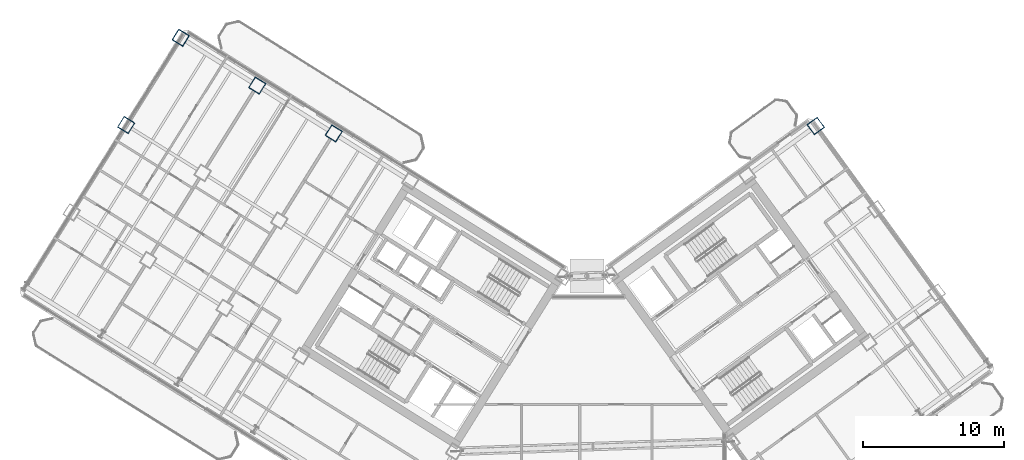
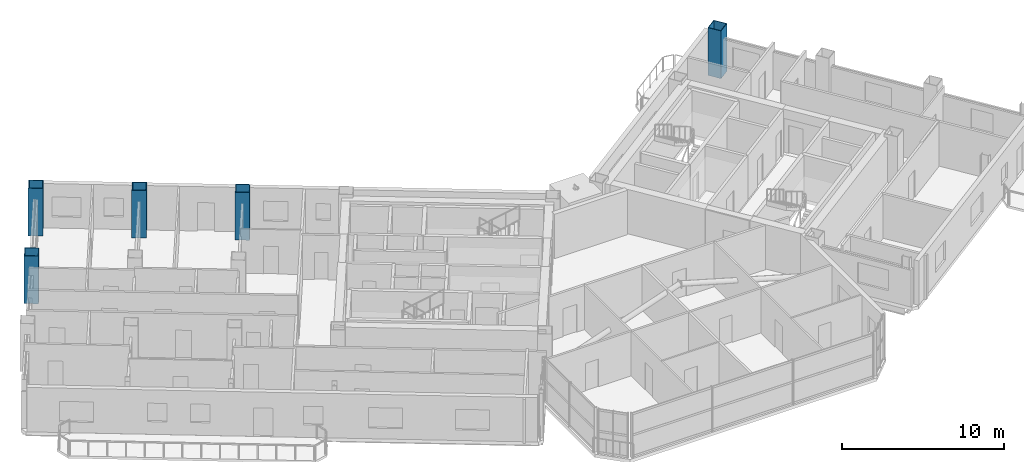
# One storey, part 3 of 29: 5 columns.
"""IFC4 building model written with IfcOpenShell, lengths in metres."""

import ifcopenshell
import ifcopenshell.guid

model = None  # the IFC model being written
_history = None  # IfcOwnerHistory: only IFC2X3 demands one
_inside = {}  # id of a spatial element -> (the spatial element, [elements in it])
_under = {}  # id of a project, library or spatial element -> (it, [spatial elements below it])
_declared = {}  # id of a project -> (the project, [libraries it declares])
_typed = {}  # id of a type object -> (the type object, [elements of that type])
_made_of = {}  # id of a material, layer set ... -> (it, [elements and type objects made of it])


def new_model(schema):
    """Start an empty IFC model of exactly this schema.

    Asked for "IFC4X3", IfcOpenShell would pick the latest addendum, in which some entities
    have other attributes; the version numbers below select the first issue.
    IFC2X3 requires an IfcOwnerHistory on every rooted entity: one is made here for all.
    """
    global model, _history
    if schema == "IFC4X3":
        model = ifcopenshell.file(schema_version=(4, 3, 0, 0))
    else:
        model = ifcopenshell.file(schema=schema)
    _inside.clear()
    _under.clear()
    _declared.clear()
    _typed.clear()
    _made_of.clear()
    _history = None
    if model.schema == "IFC2X3":
        org = make("IfcOrganization", Name="unknown")
        user = make(
            "IfcPersonAndOrganization",
            ThePerson=make("IfcPerson", FamilyName="unknown"),
            TheOrganization=org,
        )
        app = make(
            "IfcApplication",
            ApplicationDeveloper=org,
            Version="unknown",
            ApplicationFullName="unknown",
            ApplicationIdentifier="unknown",
        )
        _history = make(
            "IfcOwnerHistory",
            OwningUser=user,
            OwningApplication=app,
            ChangeAction="ADDED",
            CreationDate=0,
        )
    return model


def make(cls, **values):
    """One entity of the class cls with the attributes given. An attribute that is None is left unset."""
    return model.create_entity(
        cls, **{name: value for name, value in values.items() if value is not None}
    )


def rooted(cls, **values):
    """An entity with a GlobalId (a new one), such as an element, a storey or a relation."""
    return make(cls, GlobalId=ifcopenshell.guid.new(), OwnerHistory=_history, **values)


def si_unit(unit_type, name, prefix=None):
    """IfcSIUnit, for example si_unit("LENGTHUNIT", "METRE", prefix="MILLI")."""
    return make("IfcSIUnit", UnitType=unit_type, Prefix=prefix, Name=name)


def assignment(units):
    """IfcUnitAssignment: the units of a project."""
    return None if units is None else make("IfcUnitAssignment", Units=units)


def point(xyz):
    """IfcCartesianPoint."""
    return None if xyz is None else make("IfcCartesianPoint", Coordinates=xyz)


def direction(xyz):
    """IfcDirection."""
    return None if xyz is None else make("IfcDirection", DirectionRatios=xyz)


def frame(location, z_axis=None, x_axis=None):
    """IfcAxis2Placement3D, a coordinate frame: its origin and axes. An axis left out is left unset."""
    return make(
        "IfcAxis2Placement3D",
        Location=point(location),
        Axis=direction(z_axis),
        RefDirection=direction(x_axis),
    )


def frame_2d(location, x_axis=None):
    """IfcAxis2Placement2D, a coordinate frame in the plane: its origin and x axis."""
    return make(
        "IfcAxis2Placement2D", Location=point(location), RefDirection=direction(x_axis)
    )


def origin():
    """The frame at (0, 0, 0) with its axes left unset."""
    return frame((0.0, 0.0, 0.0))


def origin_2d():
    """The frame at (0, 0) in the plane with its x axis left unset."""
    return frame_2d((0.0, 0.0))


def place(relative_to, where):
    """IfcLocalPlacement: puts the frame where relative to a parent placement (None: the world)."""
    return make(
        "IfcLocalPlacement", PlacementRelTo=relative_to, RelativePlacement=where
    )


def context(
    kind, dimensions, precision=None, world=None, true_north=None, identifier=None
):
    """IfcGeometricRepresentationContext, for example the 3D "Model" context."""
    return make(
        "IfcGeometricRepresentationContext",
        ContextIdentifier=identifier,
        ContextType=kind,
        CoordinateSpaceDimension=dimensions,
        Precision=precision,
        WorldCoordinateSystem=world,
        TrueNorth=true_north,
    )


def subcontext(parent, identifier, kind, view, scale=None):
    """IfcGeometricRepresentationSubContext, for example "Body" below "Model"."""
    return make(
        "IfcGeometricRepresentationSubContext",
        ContextIdentifier=identifier,
        ContextType=kind,
        ParentContext=parent,
        TargetScale=scale,
        TargetView=view,
    )


def project(units=None, contexts=None):
    """IfcProject with its units and contexts."""
    return rooted(
        "IfcProject",
        Name="project",
        RepresentationContexts=contexts,
        UnitsInContext=assignment(units),
    )


def spatial(cls, under=None, at=None, **own):
    """A site, building, storey or space (cls), placed at a placement, below another one or the project."""
    s = rooted(cls, ObjectPlacement=at, **own)
    if under is not None:
        _under.setdefault(under.id(), (under, []))[1].append(s)
    return s


def profile(cls, at=None, kind="AREA", **sizes):
    """A parametric profile (cls). Its sizes go by their IFC names, for example OverallWidth=200.0."""
    return make(cls, ProfileType=kind, Position=at, **sizes)


def hollow_rectangle(**sizes):
    """IfcRectangleHollowProfileDef."""
    return profile("IfcRectangleHollowProfileDef", **sizes)


def extrude(swept, where, along, depth):
    """IfcExtrudedAreaSolid: the profile swept, set in the frame where, extruded along a direction by depth."""
    return make(
        "IfcExtrudedAreaSolid",
        SweptArea=swept,
        Position=where,
        ExtrudedDirection=direction(along),
        Depth=depth,
    )


def shape(context_of_items, identifier, shape_type, items):
    """IfcShapeRepresentation: the items that make up one representation, for example the "Body"."""
    return make(
        "IfcShapeRepresentation",
        ContextOfItems=context_of_items,
        RepresentationIdentifier=identifier,
        RepresentationType=shape_type,
        Items=items,
    )


def source(mapping_origin, context_of_items, identifier, shape_type, items):
    """IfcRepresentationMap: a shape defined once, which mapped items show again and again."""
    return make(
        "IfcRepresentationMap",
        MappingOrigin=mapping_origin,
        MappedRepresentation=shape(context_of_items, identifier, shape_type, items),
    )


def transform(
    local_origin,
    x_axis=None,
    y_axis=None,
    z_axis=None,
    scale=None,
    scale2=None,
    scale3=None,
    uniform=True,
):
    """IfcCartesianTransformationOperator3D, or its non-uniform kind. x_axis, y_axis, z_axis: its Axis1, 2, 3."""
    if uniform:
        return make(
            "IfcCartesianTransformationOperator3D",
            Axis1=direction(x_axis),
            Axis2=direction(y_axis),
            LocalOrigin=point(local_origin),
            Scale=scale,
            Axis3=direction(z_axis),
        )
    return make(
        "IfcCartesianTransformationOperator3DnonUniform",
        Axis1=direction(x_axis),
        Axis2=direction(y_axis),
        LocalOrigin=point(local_origin),
        Scale=scale,
        Axis3=direction(z_axis),
        Scale2=scale2,
        Scale3=scale3,
    )


def mapped(mapping_source, mapping_target):
    """IfcMappedItem: shows the shape of a source again, moved by a transform."""
    return make(
        "IfcMappedItem", MappingSource=mapping_source, MappingTarget=mapping_target
    )


def material(Name=None, Category=None):
    """IfcMaterial."""
    return make("IfcMaterial", Name=Name, Category=Category)


def material_profile(
    of_material, cross_section, Name=None, Category=None, Priority=None
):
    """IfcMaterialProfile: a cross section and its material."""
    return make(
        "IfcMaterialProfile",
        Name=Name,
        Material=of_material,
        Profile=cross_section,
        Priority=Priority,
        Category=Category,
    )


def profile_set(profiles, Name=None, composite=None):
    """IfcMaterialProfileSet."""
    return make(
        "IfcMaterialProfileSet",
        Name=Name,
        MaterialProfiles=profiles,
        CompositeProfile=composite,
    )


def made_of(thing, what):
    """Note that an element or type object is made of a material, layer set ...; save() writes the relation."""
    if what is not None:
        _made_of.setdefault(what.id(), (what, []))[1].append(thing)
    return thing


def type_object(cls, material=None, **own):
    """A type object (cls), such as IfcWallType, which elements share."""
    return made_of(rooted(cls, **own), material)


def element(
    cls,
    number,
    at=None,
    inside=None,
    cuts=None,
    type_object=None,
    material=None,
    context=None,
    identifier="Body",
    shape_type=None,
    held_by="IfcProductDefinitionShape",
    body=None,
    shapes=None,
    **own,
):
    """One element of the class cls, such as IfcWall. Its Tag is "e" and its number.

    at: its placement. inside: the storey or other place that contains it. cuts: it is an
    opening in that element (IfcRelVoidsElement). A single representation is given by context,
    identifier, shape_type and body (its items); several are given by shapes. held_by: the class
    of the entity that holds the representations. save() writes the other relations.
    """
    e = rooted(cls, Tag="e%d" % number, ObjectPlacement=at, **own)
    if body is not None:
        shapes = [shape(context, identifier, shape_type, body)]
    if shapes is not None:
        e.Representation = make(held_by, Representations=shapes)
    if inside is not None:
        _inside.setdefault(inside.id(), (inside, []))[1].append(e)
    if cuts is not None:
        rooted(
            "IfcRelVoidsElement", RelatingBuildingElement=cuts, RelatedOpeningElement=e
        )
    if type_object is not None:
        _typed.setdefault(type_object.id(), (type_object, []))[1].append(e)
    return made_of(e, material)


def aggregate(whole, parts):
    """IfcRelAggregates: a whole, such as a stair, and the parts it consists of."""
    return rooted("IfcRelAggregates", RelatingObject=whole, RelatedObjects=parts)


def save(model, path):
    """Write the relations noted so far, then the file.

    IfcRelAggregates (storeys below a building ...), IfcRelContainedInSpatialStructure (elements
    in a storey), IfcRelDefinesByType, IfcRelAssociatesMaterial and IfcRelDeclares: one each for
    every whole, place, type object, material and project.
    """
    for whole, parts in _under.values():
        aggregate(whole, parts)
    for where, things in _inside.values():
        rooted(
            "IfcRelContainedInSpatialStructure",
            RelatedElements=things,
            RelatingStructure=where,
        )
    for kind, things in _typed.values():
        rooted("IfcRelDefinesByType", RelatedObjects=things, RelatingType=kind)
    for what, things in _made_of.values():
        rooted("IfcRelAssociatesMaterial", RelatedObjects=things, RelatingMaterial=what)
    for by, libraries in _declared.values():
        rooted("IfcRelDeclares", RelatingContext=by, RelatedDefinitions=libraries)
    model.write(path)


model = new_model("IFC4")

# Units and contexts
model_context = context("Model", 3, precision=1e-05, world=origin(), true_north=direction((0.0, 1.0)))
body_context = subcontext(model_context, "Body", "Model", "MODEL_VIEW")
ifc_project = project(units=[si_unit("LENGTHUNIT", "METRE"), si_unit("AREAUNIT", "SQUARE_METRE"), si_unit("VOLUMEUNIT", "CUBIC_METRE"), si_unit("PLANEANGLEUNIT", "RADIAN"), si_unit("MASSUNIT", "GRAM", prefix="KILO")], contexts=[model_context])

# Site, building, storey
site_placement = place(None, origin())
site = spatial("IfcSite", under=ifc_project, at=site_placement, CompositionType="ELEMENT")
building_placement = place(site_placement, origin())
building = spatial("IfcBuilding", under=site, at=building_placement, Name="Tlacorven Tower", CompositionType="ELEMENT")
storey_placement = place(building_placement, frame((0.0, 0.0, 151.5)))
storey = spatial("IfcBuildingStorey", under=building, at=storey_placement, Name="L38", CompositionType="ELEMENT", Elevation=151.5)

# Columns
ifc_material = material(Name="Steel S460M", Category="steel")
ifc_material_profile = material_profile(ifc_material, hollow_rectangle(XDim=0.89990234375, YDim=0.89990234375, WallThickness=0.035888671875, at=origin_2d()), Name="BOX 900X900X36")
ifc_profile_set = profile_set([ifc_material_profile], Name="Steel S460M")
column_type = type_object("IfcColumnType", Name="COL-TWR-S2", PredefinedType="COLUMN", material=ifc_profile_set)
shared_shape = source(origin(), body_context, "Body", "SweptSolid", [
    extrude(hollow_rectangle(XDim=0.89990234375, YDim=0.89990234375, WallThickness=0.035888671875, at=origin_2d()), origin(), (0.0, 0.0, 1.0), 3.60009765625),
])
for number, where, z_axis, x_axis, name in (
    (1, (24.50048828125, 34.642822265625, 0.0), (0.0, 0.0, 1.0), (-0.848048096156, 0.529919264233, 0.0), "L38 column COL-L38-W4-1"),
    (2, (19.072998046875, 38.034423828125, 0.0), (0.0, 0.0, 1.0), (-0.848048096156, 0.529919264233, 0.0), "L38 column COL-L38-W5-1"),
    (3, (13.6455078125, 41.42578125, 0.0), (0.0, 0.0, 1.0), (-0.848048096156, 0.529919264233, 0.0), "L38 column COL-L38-W6-1"),
    (4, (9.777099609375, 35.235107421875, 0.0), (0.0, 0.0, 1.0), (-0.848048096156, 0.529919264233, 0.0), "L38 column COL-L38-W6-2"),
    (5, (58.68603515625, 35.165283203125, 0.0), (0.0, 0.0, 1.0), (0.809016994375, 0.587785252292, 0.0), "L38 column COL-L38-E4-4"),
):
    element("IfcColumn", number, at=place(storey_placement, frame(where, z_axis=z_axis, x_axis=x_axis)), inside=storey, type_object=column_type, Name=name, PredefinedType="COLUMN", context=body_context, shape_type="MappedRepresentation", body=[
        mapped(shared_shape, transform((0.0, 0.0, 0.0), scale=1.0)),
    ])

save(model, "model.ifc")
